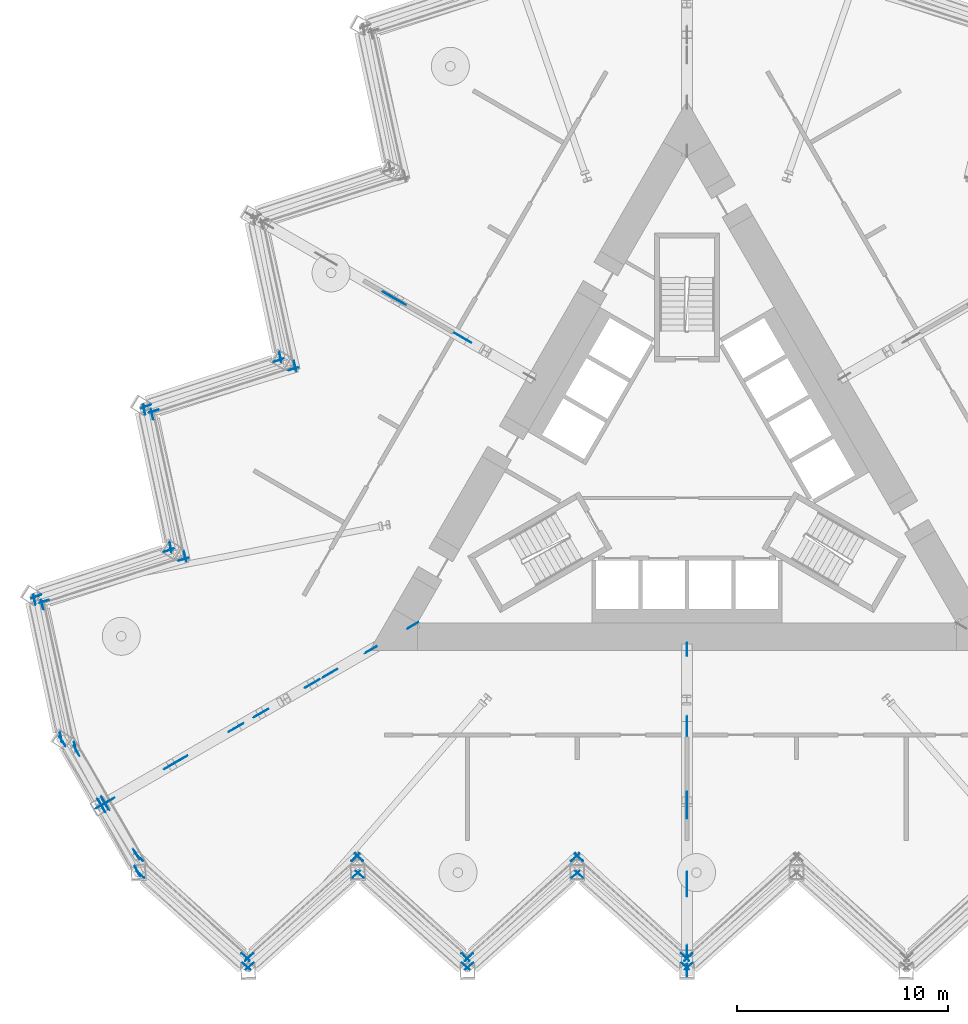
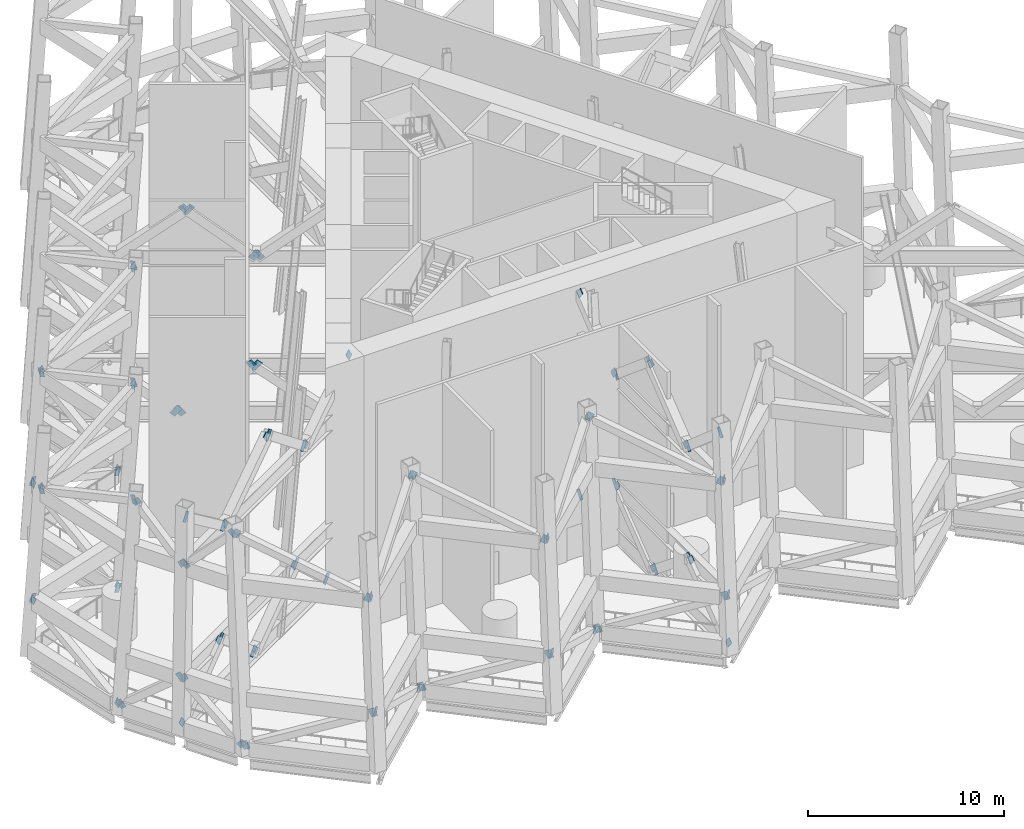
# One storey, part 11 of 19: 88 discrete accessories.
"""IFC4 building model written with IfcOpenShell, lengths in metres."""

from ifc_helpers import new_model, si_unit, direction, frame, origin, origin_2d, place, context, subcontext, project, spatial, rectangle, extrude, material, material_profile, profile_set, type_object, element, save


model = new_model("IFC4")

# Units and contexts
model_context = context("Model", 3, precision=1e-05, world=origin(), true_north=direction((0.0, 1.0)))
body_context = subcontext(model_context, "Body", "Model", "MODEL_VIEW")
ifc_project = project(units=[si_unit("LENGTHUNIT", "METRE"), si_unit("AREAUNIT", "SQUARE_METRE"), si_unit("VOLUMEUNIT", "CUBIC_METRE"), si_unit("PLANEANGLEUNIT", "RADIAN"), si_unit("MASSUNIT", "GRAM", prefix="KILO")], contexts=[model_context])

# Site, building, storey
site_placement = place(None, origin())
site = spatial("IfcSite", under=ifc_project, at=site_placement, CompositionType="ELEMENT")
building_placement = place(site_placement, origin())
building = spatial("IfcBuilding", under=site, at=building_placement, Name="Cormorant Prow Tower", CompositionType="ELEMENT")
storey_placement = place(building_placement, frame((0.0, 0.0, 287.800048828125)))
storey = spatial("IfcBuildingStorey", under=building, at=storey_placement, Name="L64", CompositionType="ELEMENT", Elevation=287.800048828125)

# Discrete accessories
ifc_material_1 = material(Name="Structural steel ASTM A500 Gr C", Category="steel")
ifc_material_profile_1 = material_profile(ifc_material_1, rectangle(XDim=0.031982421875, YDim=0.506103515625, at=origin_2d()), Name="Gusset plate 32x506")
ifc_profile_set_1 = profile_set([ifc_material_profile_1], Name="Structural steel ASTM A500 Gr C")
discrete_accessory_type_1 = type_object("IfcDiscreteAccessoryType", Name="Gusset plate 32x506", PredefinedType="BRACKET", material=ifc_profile_set_1)
for number, where, z_axis, x_axis, name in (
    (1, (-25.735107421875, -19.36669921875, 0.5703125), (-0.692482426225, 0.599733017677, -0.400984285075), (-0.654669667139, -0.755915092406, 0.0), "Gusset plate GP2 L64.S00.g0"),
    (2, (-20.971435546875, -23.490478515625, 3.32958984375), (0.692482426225, -0.599733017677, 0.400984285075), (0.654669667139, 0.755915092406, 0.0), "Gusset plate GP2 L64.S00.g1"),
):
    element("IfcDiscreteAccessory", number, at=place(storey_placement, frame(where, z_axis=z_axis, x_axis=x_axis)), inside=storey, type_object=discrete_accessory_type_1, Name=name, PredefinedType="BRACKET", context=body_context, shape_type="SweptSolid", body=[
        extrude(rectangle(XDim=0.031982421875, YDim=0.506103515625, at=origin_2d()), origin(), (0.0, 0.0, 1.0), 0.35009765625),
    ])
for number, where, z_axis, x_axis, name in (
    (3, (-20.986572265625, -23.0546875, 10.3662109375), (0.673334386355, -0.629375768386, -0.387952247475), (0.682857528904, 0.730551569171, 0.0), "Gusset plate GP2 L64.S00.t1.g0"),
    (4, (-25.79052734375, -18.563232421875, 13.133544921875), (-0.673334386355, 0.629375768386, 0.387952247475), (-0.682857528904, -0.730551569171, 0.0), "Gusset plate GP2 L64.S00.t1.g1"),
):
    element("IfcDiscreteAccessory", number, at=place(storey_placement, frame(where, z_axis=z_axis, x_axis=x_axis)), inside=storey, type_object=discrete_accessory_type_1, Name=name, PredefinedType="BRACKET", context=body_context, shape_type="SweptSolid", body=[
        extrude(rectangle(XDim=0.031982421875, YDim=0.506103515625, at=origin_2d()), origin(), (0.0, 0.0, 1.0), 0.349853515625),
    ])
for number, where, z_axis, x_axis, name in (
    (5, (-15.77392578125, -19.366455078125, 0.570068359375), (0.693979928675, 0.59842691337, -0.40034621011), (-0.653045010235, 0.757319096951, 0.0), "Gusset plate GP2 L64.S01.g0"),
    (6, (-20.555419921875, -23.49072265625, 3.329833984375), (-0.693979928675, -0.59842691337, 0.40034621011), (0.653045010235, -0.757319096951, 0.0), "Gusset plate GP2 L64.S01.g1"),
    (7, (-20.5830078125, -23.054443359375, 10.366455078125), (-0.672474749108, -0.629921886353, -0.388556468105), (0.683638869722, -0.729820454499, 0.0), "Gusset plate GP2 L64.S01.t1.g0"),
):
    element("IfcDiscreteAccessory", number, at=place(storey_placement, frame(where, z_axis=z_axis, x_axis=x_axis)), inside=storey, type_object=discrete_accessory_type_1, Name=name, PredefinedType="BRACKET", context=body_context, shape_type="SweptSolid", body=[
        extrude(rectangle(XDim=0.031982421875, YDim=0.506103515625, at=origin_2d()), origin(), (0.0, 0.0, 1.0), 0.35009765625),
    ])
for number, where, z_axis, x_axis, name in (
    (8, (-15.797119140625, -18.5634765625, 13.13330078125), (0.672092356992, 0.630217443784, 0.388738777617), (-0.684016717086, 0.72946633284, 0.0), "Gusset plate GP2 L64.S01.t1.g1"),
    (9, (-15.35791015625, -19.36669921875, 0.5703125), (-0.692772057898, 0.599286201143, -0.401151997272), (-0.654234361315, -0.756291875187, 0.0), "Gusset plate GP2 L64.S02.g0"),
    (10, (-10.589599609375, -23.490478515625, 3.32958984375), (0.692772057898, -0.599286201143, 0.401151997272), (0.654234361315, 0.756291875187, 0.0), "Gusset plate GP2 L64.S02.g1"),
):
    element("IfcDiscreteAccessory", number, at=place(storey_placement, frame(where, z_axis=z_axis, x_axis=x_axis)), inside=storey, type_object=discrete_accessory_type_1, Name=name, PredefinedType="BRACKET", context=body_context, shape_type="SweptSolid", body=[
        extrude(rectangle(XDim=0.031982421875, YDim=0.506103515625, at=origin_2d()), origin(), (0.0, 0.0, 1.0), 0.349853515625),
    ])
discrete_accessory_1_placement = place(storey_placement, frame((-10.59423828125, -23.0546875, 10.366455078125), z_axis=(0.673152027664, -0.629205314977, -0.388544745501), x_axis=(0.682857528904, 0.730551569171, 0.0)))
element("IfcDiscreteAccessory", 11, at=discrete_accessory_1_placement, inside=storey, type_object=discrete_accessory_type_1, Name="Gusset plate GP2 L64.S02.t1.g0", PredefinedType="BRACKET", context=body_context, shape_type="SweptSolid", body=[
    extrude(rectangle(XDim=0.031982421875, YDim=0.506103515625, at=origin_2d()), origin(), (0.0, 0.0, 1.0), 0.35009765625),
])
discrete_accessory_2_placement = place(storey_placement, frame((-15.3935546875, -18.563232421875, 13.133544921875), z_axis=(-0.673334386355, 0.629375768386, 0.387952247475), x_axis=(-0.682857528904, -0.730551569171, 0.0)))
element("IfcDiscreteAccessory", 12, at=discrete_accessory_2_placement, inside=storey, type_object=discrete_accessory_type_1, Name="Gusset plate GP2 L64.S02.t1.g1", PredefinedType="BRACKET", context=body_context, shape_type="SweptSolid", body=[
    extrude(rectangle(XDim=0.031982421875, YDim=0.506103515625, at=origin_2d()), origin(), (0.0, 0.0, 1.0), 0.349853515625),
])
discrete_accessory_3_placement = place(storey_placement, frame((-5.396728515625, -19.366455078125, 0.570068359375), z_axis=(0.693979928675, 0.59842691337, -0.40034621011), x_axis=(-0.653045010235, 0.757319096951, 0.0)))
element("IfcDiscreteAccessory", 13, at=discrete_accessory_3_placement, inside=storey, type_object=discrete_accessory_type_1, Name="Gusset plate GP2 L64.S03.g0", PredefinedType="BRACKET", context=body_context, shape_type="SweptSolid", body=[
    extrude(rectangle(XDim=0.031982421875, YDim=0.506103515625, at=origin_2d()), origin(), (0.0, 0.0, 1.0), 0.35009765625),
])
discrete_accessory_4_placement = place(storey_placement, frame((-10.173828125, -23.49072265625, 3.329833984375), z_axis=(-0.693618104691, -0.598716633627, 0.400540032286), x_axis=(0.653421571001, -0.75699422095, 0.0)))
element("IfcDiscreteAccessory", 14, at=discrete_accessory_4_placement, inside=storey, type_object=discrete_accessory_type_1, Name="Gusset plate GP2 L64.S03.g1", PredefinedType="BRACKET", context=body_context, shape_type="SweptSolid", body=[
    extrude(rectangle(XDim=0.031982421875, YDim=0.506103515625, at=origin_2d()), origin(), (0.0, 0.0, 1.0), 0.349853515625),
])
discrete_accessory_5_placement = place(storey_placement, frame((-10.190673828125, -23.054443359375, 10.366455078125), z_axis=(-0.672474749108, -0.629921886353, -0.388556468105), x_axis=(0.683638869722, -0.729820454499, 0.0)))
element("IfcDiscreteAccessory", 15, at=discrete_accessory_5_placement, inside=storey, type_object=discrete_accessory_type_1, Name="Gusset plate GP2 L64.S03.t1.g0", PredefinedType="BRACKET", context=body_context, shape_type="SweptSolid", body=[
    extrude(rectangle(XDim=0.031982421875, YDim=0.506103515625, at=origin_2d()), origin(), (0.0, 0.0, 1.0), 0.35009765625),
])
for number, where, z_axis, x_axis, name in (
    (16, (-5.400146484375, -18.5634765625, 13.133544921875), (0.67265693532, 0.630092544184, 0.387963958545), (-0.683638869722, 0.729820454499, 0.0), "Gusset plate GP2 L64.S03.t1.g1"),
    (17, (-4.980712890625, -19.366455078125, 0.5703125), (-0.69306171568, 0.59883882382, -0.401319724588), (-0.653798404292, -0.756668782589, 0.0), "Gusset plate GP2 L64.S04.g0"),
    (18, (-0.2080078125, -23.49072265625, 3.32958984375), (0.693424151765, -0.598549217519, 0.401125641111), (0.653421571001, 0.75699422095, 0.0), "Gusset plate GP2 L64.S04.g1"),
):
    element("IfcDiscreteAccessory", number, at=place(storey_placement, frame(where, z_axis=z_axis, x_axis=x_axis)), inside=storey, type_object=discrete_accessory_type_1, Name=name, PredefinedType="BRACKET", context=body_context, shape_type="SweptSolid", body=[
        extrude(rectangle(XDim=0.031982421875, YDim=0.506103515625, at=origin_2d()), origin(), (0.0, 0.0, 1.0), 0.349853515625),
    ])
discrete_accessory_6_placement = place(storey_placement, frame((-0.201904296875, -23.054443359375, 10.366455078125), z_axis=(0.672856603449, -0.629626438254, -0.388374226032), x_axis=(0.683261256643, 0.730173989657, 0.0)))
element("IfcDiscreteAccessory", 19, at=discrete_accessory_6_placement, inside=storey, type_object=discrete_accessory_type_1, Name="Gusset plate GP2 L64.S04.t1.g0", PredefinedType="BRACKET", context=body_context, shape_type="SweptSolid", body=[
    extrude(rectangle(XDim=0.031982421875, YDim=0.506103515625, at=origin_2d()), origin(), (0.0, 0.0, 1.0), 0.35009765625),
])
for number, where, z_axis, x_axis, name in (
    (20, (-4.996826171875, -18.5634765625, 13.133544921875), (-0.67265693532, 0.630092544184, 0.387963958545), (-0.683638869722, -0.729820454499, 0.0), "Gusset plate GP2 L64.S04.t1.g1"),
    (21, (0.2080078125, -23.49072265625, 3.32958984375), (-0.693424151765, -0.598549217519, 0.401125641111), (0.653421571001, -0.75699422095, 0.0), "Gusset plate GP2 L64.S05.g1"),
):
    element("IfcDiscreteAccessory", number, at=place(storey_placement, frame(where, z_axis=z_axis, x_axis=x_axis)), inside=storey, type_object=discrete_accessory_type_1, Name=name, PredefinedType="BRACKET", context=body_context, shape_type="SweptSolid", body=[
        extrude(rectangle(XDim=0.031982421875, YDim=0.506103515625, at=origin_2d()), origin(), (0.0, 0.0, 1.0), 0.349853515625),
    ])
for number, where, z_axis, x_axis, name in (
    (22, (0.201904296875, -23.054443359375, 10.366455078125), (-0.672856603449, -0.629626438254, -0.388374226032), (0.683261256643, -0.730173989657, 0.0), "Gusset plate GP2 L64.S05.t1.g0"),
    (23, (-19.26220703125, 5.369873046875, 0.5703125), (0.172271523265, -0.899717672114, -0.401036946873), (0.982158184024, 0.188056644538, 0.0), "Gusset plate GP2 L64.WNW05.g0"),
):
    element("IfcDiscreteAccessory", number, at=place(storey_placement, frame(where, z_axis=z_axis, x_axis=x_axis)), inside=storey, type_object=discrete_accessory_type_1, Name=name, PredefinedType="BRACKET", context=body_context, shape_type="SweptSolid", body=[
        extrude(rectangle(XDim=0.031982421875, YDim=0.506103515625, at=origin_2d()), origin(), (0.0, 0.0, 1.0), 0.35009765625),
    ])
discrete_accessory_7_placement = place(storey_placement, frame((-18.57470703125, 4.954345703125, 13.133544921875), z_axis=(0.209379410418, -0.897539739327, 0.388049840642), x_axis=(0.973852380129, 0.2271817372, 0.0)))
element("IfcDiscreteAccessory", 24, at=discrete_accessory_7_placement, inside=storey, type_object=discrete_accessory_type_1, Name="Gusset plate GP2 L64.WNW05.t1.g1", PredefinedType="BRACKET", context=body_context, shape_type="SweptSolid", body=[
    extrude(rectangle(XDim=0.031982421875, YDim=0.506103515625, at=origin_2d()), origin(), (0.0, 0.0, 1.0), 0.349853515625),
])
for number, where, z_axis, x_axis, name in (
    (25, (-19.47021484375, 5.009521484375, 0.570068359375), (0.865448263012, 0.301268049654, -0.400295973383), (-0.328756746245, 0.944414634468, 0.0), "Gusset plate GP2 L64.WNW06.g0"),
    (26, (-25.430419921875, 2.9345703125, 3.329833984375), (-0.865448263012, -0.301268049654, 0.400295973383), (0.328756746245, -0.944414634468, 0.0), "Gusset plate GP2 L64.WNW06.g1"),
):
    element("IfcDiscreteAccessory", number, at=place(storey_placement, frame(where, z_axis=z_axis, x_axis=x_axis)), inside=storey, type_object=discrete_accessory_type_1, Name=name, PredefinedType="BRACKET", context=body_context, shape_type="SweptSolid", body=[
        extrude(rectangle(XDim=0.031982421875, YDim=0.506103515625, at=origin_2d()), origin(), (0.0, 0.0, 1.0), 0.35009765625),
    ])
discrete_accessory_8_placement = place(storey_placement, frame((-25.06103515625, 2.701904296875, 10.366455078125), z_axis=(-0.881819785023, -0.267196976, -0.388586724887), x_axis=(0.289986381107, -0.957030772114, 0.0)))
element("IfcDiscreteAccessory", 27, at=discrete_accessory_8_placement, inside=storey, type_object=discrete_accessory_type_1, Name="Gusset plate GP2 L64.WNW06.t1.g0", PredefinedType="BRACKET", context=body_context, shape_type="SweptSolid", body=[
    extrude(rectangle(XDim=0.031982421875, YDim=0.506103515625, at=origin_2d()), origin(), (0.0, 0.0, 1.0), 0.349853515625),
])
for number, where, z_axis, x_axis, name in (
    (28, (-18.776611328125, 4.60498046875, 13.133544921875), (0.882213480392, 0.26710495098, 0.387755490196), (-0.289776399054, 0.957094372855, 0.0), "Gusset plate GP2 L64.WNW06.t1.g1"),
    (29, (-24.450927734375, -3.616943359375, 0.5703125), (0.172271523265, -0.899717672114, -0.401036946873), (0.982158184024, 0.188056644538, 0.0), "Gusset plate GP2 L64.WNW07.g0"),
):
    element("IfcDiscreteAccessory", number, at=place(storey_placement, frame(where, z_axis=z_axis, x_axis=x_axis)), inside=storey, type_object=discrete_accessory_type_1, Name=name, PredefinedType="BRACKET", context=body_context, shape_type="SweptSolid", body=[
        extrude(rectangle(XDim=0.031982421875, YDim=0.506103515625, at=origin_2d()), origin(), (0.0, 0.0, 1.0), 0.35009765625),
    ])
discrete_accessory_9_placement = place(storey_placement, frame((-25.63818359375, 2.574462890625, 3.32958984375), z_axis=(-0.173056719178, 0.899476254112, 0.401240377125), x_axis=(-0.981990141826, -0.188932160724, 0.0)))
element("IfcDiscreteAccessory", 30, at=discrete_accessory_9_placement, inside=storey, type_object=discrete_accessory_type_1, Name="Gusset plate GP2 L64.WNW07.g1", PredefinedType="BRACKET", context=body_context, shape_type="SweptSolid", body=[
    extrude(rectangle(XDim=0.031982421875, YDim=0.506103515625, at=origin_2d()), origin(), (0.0, 0.0, 1.0), 0.349853515625),
])
for number, where, z_axis, x_axis, name in (
    (31, (-25.262939453125, 2.352294921875, 10.366455078125), (-0.209191694804, 0.89743237071, -0.388399246686), (-0.973891420935, -0.227014317234, 0.0), "Gusset plate GP2 L64.WNW07.t1.g0"),
    (32, (-23.773193359375, -4.049560546875, 13.133544921875), (0.209248322944, -0.897675305428, 0.387806891855), (0.973891420935, 0.227014317234, 0.0), "Gusset plate GP2 L64.WNW07.t1.g1"),
):
    element("IfcDiscreteAccessory", number, at=place(storey_placement, frame(where, z_axis=z_axis, x_axis=x_axis)), inside=storey, type_object=discrete_accessory_type_1, Name=name, PredefinedType="BRACKET", context=body_context, shape_type="SweptSolid", body=[
        extrude(rectangle(XDim=0.031982421875, YDim=0.506103515625, at=origin_2d()), origin(), (0.0, 0.0, 1.0), 0.35009765625),
    ])
discrete_accessory_10_placement = place(storey_placement, frame((-24.65869140625, -3.9775390625, 0.570068359375), z_axis=(0.865090897516, 0.302084160181, -0.400453367076), x_axis=(-0.329672061169, 0.944095510044, 0.0)))
element("IfcDiscreteAccessory", 33, at=discrete_accessory_10_placement, inside=storey, type_object=discrete_accessory_type_1, Name="Gusset plate GP2 L64.WNW08.g0", PredefinedType="BRACKET", context=body_context, shape_type="SweptSolid", body=[
    extrude(rectangle(XDim=0.031982421875, YDim=0.506103515625, at=origin_2d()), origin(), (0.0, 0.0, 1.0), 0.349853515625),
])
for number, where, z_axis, x_axis, name in (
    (34, (-30.621337890625, -6.05615234375, 3.329833984375), (-0.865266280824, -0.301901933599, 0.400211801123), (0.329435251589, -0.944178169103, 0.0), "Gusset plate GP2 L64.WNW08.g1"),
    (35, (-30.257080078125, -6.29833984375, 10.366455078125), (-0.882138829648, -0.266385006265, -0.388420022224), (0.28908310657, -0.957304004742, 0.0), "Gusset plate GP2 L64.WNW08.t1.g0"),
    (36, (-23.97509765625, -4.39892578125, 13.13330078125), (0.882138829648, 0.266385006265, 0.388420022224), (-0.28908310657, 0.957304004742, 0.0), "Gusset plate GP2 L64.WNW08.t1.g1"),
):
    element("IfcDiscreteAccessory", number, at=place(storey_placement, frame(where, z_axis=z_axis, x_axis=x_axis)), inside=storey, type_object=discrete_accessory_type_1, Name=name, PredefinedType="BRACKET", context=body_context, shape_type="SweptSolid", body=[
        extrude(rectangle(XDim=0.031982421875, YDim=0.506103515625, at=origin_2d()), origin(), (0.0, 0.0, 1.0), 0.35009765625),
    ])
for number, where, z_axis, x_axis, name in (
    (37, (-29.6396484375, -12.60400390625, 0.5703125), (0.173056719178, -0.899476254112, -0.401240377125), (0.981990141826, 0.188932160724, 0.0), "Gusset plate GP2 L64.WNW09.g0"),
    (38, (-30.8291015625, -6.41650390625, 3.32958984375), (-0.173056719178, 0.899476254112, 0.401240377125), (-0.981990141826, -0.188932160724, 0.0), "Gusset plate GP2 L64.WNW09.g1"),
    (39, (-30.459228515625, -6.647705078125, 10.3662109375), (-0.208581222343, 0.897806130957, -0.38786341011), (-0.974058485018, -0.226296415711, 0.0), "Gusset plate GP2 L64.WNW09.t1.g0"),
    (40, (-28.971435546875, -13.0537109375, 13.133544921875), (0.208581222343, -0.897806130957, 0.38786341011), (0.974058485018, 0.226296415711, 0.0), "Gusset plate GP2 L64.WNW09.t1.g1"),
):
    element("IfcDiscreteAccessory", number, at=place(storey_placement, frame(where, z_axis=z_axis, x_axis=x_axis)), inside=storey, type_object=discrete_accessory_type_1, Name=name, PredefinedType="BRACKET", context=body_context, shape_type="SweptSolid", body=[
        extrude(rectangle(XDim=0.031982421875, YDim=0.506103515625, at=origin_2d()), origin(), (0.0, 0.0, 1.0), 0.349853515625),
    ])
for number, where, z_axis, x_axis, name in (
    (41, (-29.46728515625, -13.07177734375, 0.640625), (-0.401648542264, 0.659651946148, -0.635246218754), (-0.854128807881, -0.520061515158, 0.0), "Gusset plate GP2 L64.WSW00.g0"),
    (42, (-27.81201171875, -15.789794921875, 3.25927734375), (0.401063480674, -0.659836613422, 0.635424053729), (0.854529802845, 0.519402364309, 0.0), "Gusset plate GP2 L64.WSW00.g1"),
    (43, (-27.623779296875, -15.70703125, 10.465087890625), (0.33120480415, -0.613600479268, -0.716796923508), (0.879989000206, 0.474994062611, 0.0), "Gusset plate GP2 L64.WSW00.t1.g0"),
    (44, (-28.809814453125, -13.507080078125, 13.034912109375), (-0.330583804423, 0.613742084161, 0.716962343769), (-0.880406841963, -0.474219139876, 0.0), "Gusset plate GP2 L64.WSW00.t1.g1"),
):
    element("IfcDiscreteAccessory", number, at=place(storey_placement, frame(where, z_axis=z_axis, x_axis=x_axis)), inside=storey, type_object=discrete_accessory_type_1, Name=name, PredefinedType="BRACKET", context=body_context, shape_type="SweptSolid", body=[
        extrude(rectangle(XDim=0.031982421875, YDim=0.506103515625, at=origin_2d()), origin(), (0.0, 0.0, 1.0), 0.35009765625),
    ])
for number, where, z_axis, x_axis, name in (
    (45, (-26.053955078125, -18.983642578125, 0.640625), (0.370440003742, -0.677395939047, -0.635538311505), (0.877377082979, 0.479801473802, 0.0), "Gusset plate GP2 L64.WSW01.g0"),
    (46, (-27.58056640625, -16.19091796875, 3.25927734375), (-0.370440003742, 0.677395939047, 0.635538311505), (-0.877377082979, -0.479801473802, 0.0), "Gusset plate GP2 L64.WSW01.g1"),
):
    element("IfcDiscreteAccessory", number, at=place(storey_placement, frame(where, z_axis=z_axis, x_axis=x_axis)), inside=storey, type_object=discrete_accessory_type_1, Name=name, PredefinedType="BRACKET", context=body_context, shape_type="SweptSolid", body=[
        extrude(rectangle(XDim=0.031982421875, YDim=0.506103515625, at=origin_2d()), origin(), (0.0, 0.0, 1.0), 0.349853515625),
    ])
discrete_accessory_11_placement = place(storey_placement, frame((-27.41455078125, -16.0693359375, 10.465087890625), z_axis=(-0.366086177924, 0.59340826174, -0.716831601725), x_axis=(-0.851074046663, -0.525045680961, 0.0)))
element("IfcDiscreteAccessory", 47, at=discrete_accessory_11_placement, inside=storey, type_object=discrete_accessory_type_1, Name="Gusset plate GP2 L64.WSW01.t1.g0", PredefinedType="BRACKET", context=body_context, shape_type="SweptSolid", body=[
    extrude(rectangle(XDim=0.031982421875, YDim=0.506103515625, at=origin_2d()), origin(), (0.0, 0.0, 1.0), 0.35009765625),
])
discrete_accessory_12_placement = place(storey_placement, frame((-26.102294921875, -18.196533203125, 13.034912109375), z_axis=(0.36623766487, -0.592956219313, 0.717128227592), x_axis=(0.850797997359, 0.525492880722, 0.0)))
element("IfcDiscreteAccessory", 48, at=discrete_accessory_12_placement, inside=storey, type_object=discrete_accessory_type_1, Name="Gusset plate GP2 L64.WSW01.t1.g1", PredefinedType="BRACKET", context=body_context, shape_type="SweptSolid", body=[
    extrude(rectangle(XDim=0.031982421875, YDim=0.506103515625, at=origin_2d()), origin(), (0.0, 0.0, 1.0), 0.349853515625),
])
ifc_material_2 = material(Name="Structural steel ASTM A500 Gr C", Category="steel")
ifc_material_profile_2 = material_profile(ifc_material_2, rectangle(XDim=0.031982421875, YDim=0.60791015625, at=origin_2d()), Name="Gusset plate 32x608")
ifc_profile_set_2 = profile_set([ifc_material_profile_2], Name="Structural steel ASTM A500 Gr C")
discrete_accessory_type_2 = type_object("IfcDiscreteAccessoryType", Name="Gusset plate 32x608", PredefinedType="BRACKET", material=ifc_profile_set_2)
for number, where, z_axis, x_axis, name in (
    (49, (-10.450439453125, 6.03369140625, 3.31396484375), (-0.679469310196, 0.392055187197, 0.62017270715), (-0.499773776046, -0.866155974855, 0.0), "Gusset plate GP1 L64.03.1.g1"),
    (50, (-10.860107421875, 6.27001953125, 3.317138671875), (0.68645957924, -0.396249025415, 0.609721211642), (0.499925626596, 0.866068339032, 0.0), "Gusset plate GP1 L64.03.2.g0"),
):
    element("IfcDiscreteAccessory", number, at=place(storey_placement, frame(where, z_axis=z_axis, x_axis=x_axis)), inside=storey, type_object=discrete_accessory_type_2, Name=name, PredefinedType="BRACKET", context=body_context, shape_type="SweptSolid", body=[
        extrude(rectangle(XDim=0.031982421875, YDim=0.60791015625, at=origin_2d()), origin(), (0.0, 0.0, 1.0), 0.349853515625),
    ])
for number, where, z_axis, x_axis, name in (
    (51, (-13.822509765625, 7.98046875, 0.68310546875), (-0.68616760981, 0.396080490216, -0.610159205878), (-0.499925626596, -0.866068339032, 0.0), "Gusset plate GP1 L64.03.2.g1"),
    (52, (-14.22998046875, 8.215576171875, 0.689453125), (0.671683032002, -0.387804533534, -0.631228602245), (0.500007885066, 0.866020851292, 0.0), "Gusset plate GP1 L64.03.3.g0"),
    (53, (-10.3525390625, 5.97705078125, 10.389404296875), (-0.671004149087, 0.38781528783, -0.631943616499), (-0.500397548058, -0.865795757611, 0.0), "Gusset plate GP1 L64.03.1.t1.g1"),
    (54, (-10.7529296875, 6.208251953125, 10.392822265625), (0.663255717396, -0.382888947266, -0.643030253879), (0.499958946799, 0.866049104564, 0.0), "Gusset plate GP1 L64.03.2.t1.g0"),
):
    element("IfcDiscreteAccessory", number, at=place(storey_placement, frame(where, z_axis=z_axis, x_axis=x_axis)), inside=storey, type_object=discrete_accessory_type_2, Name=name, PredefinedType="BRACKET", context=body_context, shape_type="SweptSolid", body=[
        extrude(rectangle(XDim=0.031982421875, YDim=0.60791015625, at=origin_2d()), origin(), (0.0, 0.0, 1.0), 0.35009765625),
    ])
for number, where, z_axis, x_axis, name in (
    (55, (-13.448974609375, 7.7646484375, 13.0068359375), (-0.662864821506, 0.383066091586, 0.643327753083), (-0.500353517061, -0.865821204386, 0.0), "Gusset plate GP1 L64.03.2.t1.g1"),
    (56, (-13.851318359375, 7.9970703125, 13.013427734375), (0.678314290276, -0.391496210746, 0.621788099419), (0.499876722092, 0.86609656662, 0.0), "Gusset plate GP1 L64.03.3.t1.g0"),
):
    element("IfcDiscreteAccessory", number, at=place(storey_placement, frame(where, z_axis=z_axis, x_axis=x_axis)), inside=storey, type_object=discrete_accessory_type_2, Name=name, PredefinedType="BRACKET", context=body_context, shape_type="SweptSolid", body=[
        extrude(rectangle(XDim=0.031982421875, YDim=0.60791015625, at=origin_2d()), origin(), (0.0, 0.0, 1.0), 0.349853515625),
    ])
discrete_accessory_13_placement = place(storey_placement, frame((-15.06201171875, -8.696044921875, 0.7021484375), z_axis=(0.639689517962, 0.369722404057, -0.673871400601), x_axis=(-0.50040343364, 0.865792355939, 0.0)))
element("IfcDiscreteAccessory", 57, at=discrete_accessory_13_placement, inside=storey, type_object=discrete_accessory_type_2, Name="Gusset plate GP1 L64.05.1.g0", PredefinedType="BRACKET", context=body_context, shape_type="SweptSolid", body=[
    extrude(rectangle(XDim=0.031982421875, YDim=0.60791015625, at=origin_2d()), origin(), (0.0, 0.0, 1.0), 0.35009765625),
])
discrete_accessory_14_placement = place(storey_placement, frame((-17.530029296875, -10.120849609375, 3.298095703125), z_axis=(-0.639990283115, -0.369896237787, 0.673490319745), x_axis=(0.50040343364, -0.865792355939, 0.0)))
element("IfcDiscreteAccessory", 58, at=discrete_accessory_14_placement, inside=storey, type_object=discrete_accessory_type_2, Name="Gusset plate GP1 L64.05.1.g1", PredefinedType="BRACKET", context=body_context, shape_type="SweptSolid", body=[
    extrude(rectangle(XDim=0.031982421875, YDim=0.60791015625, at=origin_2d()), origin(), (0.0, 0.0, 1.0), 0.349853515625),
])
for number, where, z_axis, x_axis, name in (
    (59, (-17.9326171875, -10.353515625, 3.324462890625), (0.702173814992, 0.405824389598, 0.585028630366), (-0.500392188436, 0.86579885525, 0.0), "Gusset plate GP1 L64.05.2.g0"),
    (60, (-21.112548828125, -12.189208984375, 0.675537109375), (-0.702460261613, -0.40598994266, -0.584569711253), (0.500392188436, -0.86579885525, 0.0), "Gusset plate GP1 L64.05.2.g1"),
    (61, (-21.52099609375, -12.425048828125, 0.69482421875), (0.659221220334, 0.380185783156, -0.64875739144), (-0.499590185398, 0.866261881104, 0.0), "Gusset plate GP1 L64.05.3.g0"),
    (62, (-24.173095703125, -13.956298828125, 3.305419921875), (-0.659046295372, -0.380782303993, 0.648585243065), (0.500277597875, -0.865865073245, 0.0), "Gusset plate GP1 L64.05.3.g1"),
    (63, (-24.577392578125, -14.189697265625, 3.318115234375), (0.688349294507, 0.397526948196, 0.606751657772), (-0.500102178127, 0.865966403178, 0.0), "Gusset plate GP1 L64.05.4.g0"),
    (64, (-27.56982421875, -15.91748046875, 0.68212890625), (-0.688349294507, -0.397526948196, -0.606751657772), (0.500102178127, -0.865966403178, 0.0), "Gusset plate GP1 L64.05.4.g1"),
):
    element("IfcDiscreteAccessory", number, at=place(storey_placement, frame(where, z_axis=z_axis, x_axis=x_axis)), inside=storey, type_object=discrete_accessory_type_2, Name=name, PredefinedType="BRACKET", context=body_context, shape_type="SweptSolid", body=[
        extrude(rectangle(XDim=0.031982421875, YDim=0.60791015625, at=origin_2d()), origin(), (0.0, 0.0, 1.0), 0.35009765625),
    ])
discrete_accessory_15_placement = place(storey_placement, frame((-13.088134765625, -7.556396484375, 13.036865234375), z_axis=(0.727089729103, 0.419367492505, 0.543572839703), x_axis=(-0.499626492788, 0.866240940907, 0.0)))
element("IfcDiscreteAccessory", 65, at=discrete_accessory_15_placement, inside=storey, type_object=discrete_accessory_type_2, Name="Gusset plate GP1 L64.05.1.t1.g0", PredefinedType="BRACKET", context=body_context, shape_type="SweptSolid", body=[
    extrude(rectangle(XDim=0.031982421875, YDim=0.60791015625, at=origin_2d()), origin(), (0.0, 0.0, 1.0), 0.349853515625),
])
for number, where, z_axis, x_axis, name in (
    (66, (-16.667236328125, -9.622802734375, 10.36279296875), (-0.726876879185, -0.419942304481, -0.543413712942), (0.500249908544, -0.865881070934, 0.0), "Gusset plate GP1 L64.05.1.t1.g1"),
    (67, (-17.088623046875, -9.8662109375, 10.386474609375), (0.678019984355, 0.391326348995, -0.622215870416), (-0.499876722092, 0.86609656662, 0.0), "Gusset plate GP1 L64.05.2.t1.g0"),
    (68, (-19.94775390625, -11.516845703125, 13.012939453125), (-0.6777257317, -0.391156517988, 0.622643084782), (0.499876722092, -0.86609656662, 0.0), "Gusset plate GP1 L64.05.2.t1.g1"),
    (69, (-20.365966796875, -11.75830078125, 13.031005859375), (0.715617253507, 0.413607243011, 0.562868541501), (-0.500404123441, 0.865791957252, 0.0), "Gusset plate GP1 L64.05.3.t1.g0"),
):
    element("IfcDiscreteAccessory", number, at=place(storey_placement, frame(where, z_axis=z_axis, x_axis=x_axis)), inside=storey, type_object=discrete_accessory_type_2, Name=name, PredefinedType="BRACKET", context=body_context, shape_type="SweptSolid", body=[
        extrude(rectangle(XDim=0.031982421875, YDim=0.60791015625, at=origin_2d()), origin(), (0.0, 0.0, 1.0), 0.35009765625),
    ])
discrete_accessory_16_placement = place(storey_placement, frame((-23.756103515625, -13.715576171875, 10.368408203125), z_axis=(-0.715898189732, -0.413769616483, -0.562391755287), x_axis=(0.500404123441, -0.865791957252, 0.0)))
element("IfcDiscreteAccessory", 70, at=discrete_accessory_16_placement, inside=storey, type_object=discrete_accessory_type_2, Name="Gusset plate GP1 L64.05.3.t1.g1", PredefinedType="BRACKET", context=body_context, shape_type="SweptSolid", body=[
    extrude(rectangle(XDim=0.031982421875, YDim=0.60791015625, at=origin_2d()), origin(), (0.0, 0.0, 1.0), 0.349853515625),
])
for number, where, z_axis, x_axis, name in (
    (71, (-24.1787109375, -13.95947265625, 10.3798828125), (0.692579266656, 0.399645437859, -0.600514349034), (-0.499797962495, 0.866142018774, 0.0), "Gusset plate GP1 L64.05.4.t1.g0"),
    (72, (-27.224609375, -15.718017578125, 13.019775390625), (-0.692675979203, -0.400398803688, 0.599900646641), (0.500451896662, -0.865764343876, 0.0), "Gusset plate GP1 L64.05.4.t1.g1"),
    (73, (0.0, -8.74560546875, 0.686279296875), (0.0, 0.78425781569, -0.620435071968), (-1.0, 0.0, 0.0), "Gusset plate GP1 L64.07.1.g0"),
    (74, (0.0, -12.067138671875, 3.31396484375), (0.0, -0.784597049545, 0.62000602404), (1.0, 0.0, 0.0), "Gusset plate GP1 L64.07.1.g1"),
):
    element("IfcDiscreteAccessory", number, at=place(storey_placement, frame(where, z_axis=z_axis, x_axis=x_axis)), inside=storey, type_object=discrete_accessory_type_2, Name=name, PredefinedType="BRACKET", context=body_context, shape_type="SweptSolid", body=[
        extrude(rectangle(XDim=0.031982421875, YDim=0.60791015625, at=origin_2d()), origin(), (0.0, 0.0, 1.0), 0.35009765625),
    ])
discrete_accessory_17_placement = place(storey_placement, frame((0.0, -12.540283203125, 3.317138671875), z_axis=(0.0, 0.792572113617, 0.609778193047), x_axis=(-1.0, 0.0, 0.0)))
element("IfcDiscreteAccessory", 75, at=discrete_accessory_17_placement, inside=storey, type_object=discrete_accessory_type_2, Name="Gusset plate GP1 L64.07.2.g0", PredefinedType="BRACKET", context=body_context, shape_type="SweptSolid", body=[
    extrude(rectangle(XDim=0.031982421875, YDim=0.60791015625, at=origin_2d()), origin(), (0.0, 0.0, 1.0), 0.349853515625),
])
for number, where, z_axis, x_axis, name in (
    (76, (0.0, -15.9609375, 0.68310546875), (0.0, -0.792234948747, -0.610216179713), (1.0, 0.0, 0.0), "Gusset plate GP1 L64.07.2.g1"),
    (77, (0.0, -16.431396484375, 0.689453125), (0.0, 0.775601709276, -0.631222614114), (-1.0, 0.0, 0.0), "Gusset plate GP1 L64.07.3.g0"),
    (78, (0.0, -19.654296875, 3.310791015625), (0.0, -0.775601709276, 0.631222614114), (1.0, 0.0, 0.0), "Gusset plate GP1 L64.07.3.g1"),
):
    element("IfcDiscreteAccessory", number, at=place(storey_placement, frame(where, z_axis=z_axis, x_axis=x_axis)), inside=storey, type_object=discrete_accessory_type_2, Name=name, PredefinedType="BRACKET", context=body_context, shape_type="SweptSolid", body=[
        extrude(rectangle(XDim=0.031982421875, YDim=0.60791015625, at=origin_2d()), origin(), (0.0, 0.0, 1.0), 0.35009765625),
    ])
discrete_accessory_18_placement = place(storey_placement, frame((0.0, -20.126953125, 3.320068359375), z_axis=(0.0, 0.799832464644, 0.600223315527), x_axis=(-1.0, 0.0, 0.0)))
element("IfcDiscreteAccessory", 79, at=discrete_accessory_18_placement, inside=storey, type_object=discrete_accessory_type_2, Name="Gusset plate GP1 L64.07.4.g0", PredefinedType="BRACKET", context=body_context, shape_type="SweptSolid", body=[
    extrude(rectangle(XDim=0.031982421875, YDim=0.60791015625, at=origin_2d()), origin(), (0.0, 0.0, 1.0), 0.349853515625),
])
for number, where, z_axis, x_axis, name in (
    (80, (0.0, -23.64697265625, 0.68017578125), (0.0, -0.800083697571, -0.599888387019), (1.0, 0.0, 0.0), "Gusset plate GP1 L64.07.4.g1"),
    (81, (0.0, -8.74267578125, 13.010009765625), (0.0, 0.774640287567, 0.632402106952), (-1.0, 0.0, 0.0), "Gusset plate GP1 L64.07.1.t1.g0"),
    (82, (0.0, -11.9541015625, 10.389404296875), (0.0, -0.774981894861, -0.631983435414), (1.0, 0.0, 0.0), "Gusset plate GP1 L64.07.1.t1.g1"),
):
    element("IfcDiscreteAccessory", number, at=place(storey_placement, frame(where, z_axis=z_axis, x_axis=x_axis)), inside=storey, type_object=discrete_accessory_type_2, Name=name, PredefinedType="BRACKET", context=body_context, shape_type="SweptSolid", body=[
        extrude(rectangle(XDim=0.031982421875, YDim=0.60791015625, at=origin_2d()), origin(), (0.0, 0.0, 1.0), 0.35009765625),
    ])
for number, where, z_axis, x_axis, name in (
    (83, (0.0, -12.416259765625, 10.392822265625), (0.0, 0.765526121128, -0.643404816481), (-1.0, 0.0, 0.0), "Gusset plate GP1 L64.07.2.t1.g0"),
    (84, (0.0, -15.529541015625, 13.0068359375), (0.0, -0.765526121128, 0.643404816481), (1.0, 0.0, 0.0), "Gusset plate GP1 L64.07.2.t1.g1"),
):
    element("IfcDiscreteAccessory", number, at=place(storey_placement, frame(where, z_axis=z_axis, x_axis=x_axis)), inside=storey, type_object=discrete_accessory_type_2, Name=name, PredefinedType="BRACKET", context=body_context, shape_type="SweptSolid", body=[
        extrude(rectangle(XDim=0.031982421875, YDim=0.60791015625, at=origin_2d()), origin(), (0.0, 0.0, 1.0), 0.349853515625),
    ])
for number, where, z_axis, x_axis, name in (
    (85, (0.0, -15.994140625, 13.013427734375), (0.0, 0.783380553471, 0.621542362549), (-1.0, 0.0, 0.0), "Gusset plate GP1 L64.07.3.t1.g0"),
    (86, (0.0, -19.304443359375, 10.38623046875), (0.0, -0.783380553471, -0.621542362549), (1.0, 0.0, 0.0), "Gusset plate GP1 L64.07.3.t1.g1"),
    (87, (0.0, -19.766357421875, 10.39599609375), (0.0, 0.756493687559, -0.654000994406), (-1.0, 0.0, 0.0), "Gusset plate GP1 L64.07.4.t1.g0"),
):
    element("IfcDiscreteAccessory", number, at=place(storey_placement, frame(where, z_axis=z_axis, x_axis=x_axis)), inside=storey, type_object=discrete_accessory_type_2, Name=name, PredefinedType="BRACKET", context=body_context, shape_type="SweptSolid", body=[
        extrude(rectangle(XDim=0.031982421875, YDim=0.60791015625, at=origin_2d()), origin(), (0.0, 0.0, 1.0), 0.35009765625),
    ])
discrete_accessory_19_placement = place(storey_placement, frame((0.0, -22.78125, 13.003662109375), z_axis=(0.0, -0.756540467129, 0.653946879797), x_axis=(1.0, 0.0, 0.0)))
element("IfcDiscreteAccessory", 88, at=discrete_accessory_19_placement, inside=storey, type_object=discrete_accessory_type_2, Name="Gusset plate GP1 L64.07.4.t1.g1", PredefinedType="BRACKET", context=body_context, shape_type="SweptSolid", body=[
    extrude(rectangle(XDim=0.031982421875, YDim=0.60791015625, at=origin_2d()), origin(), (0.0, 0.0, 1.0), 0.349853515625),
])

save(model, "model.ifc")
